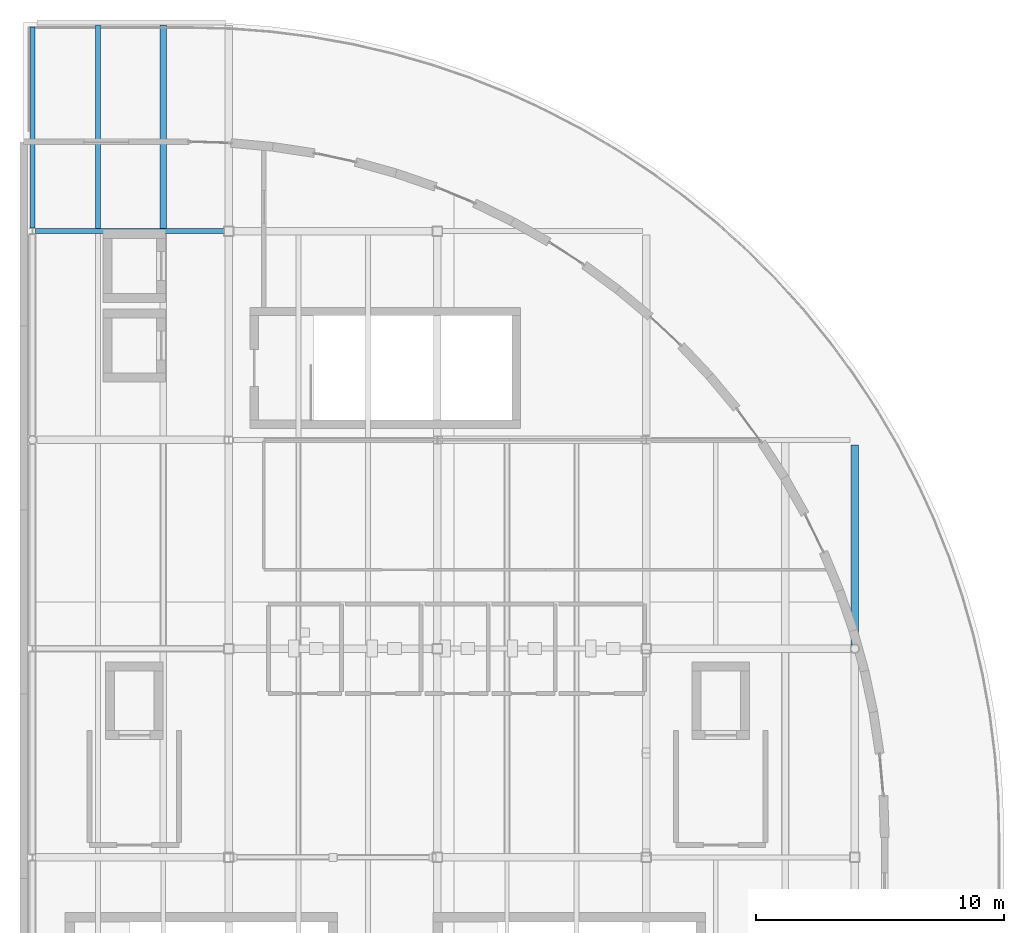
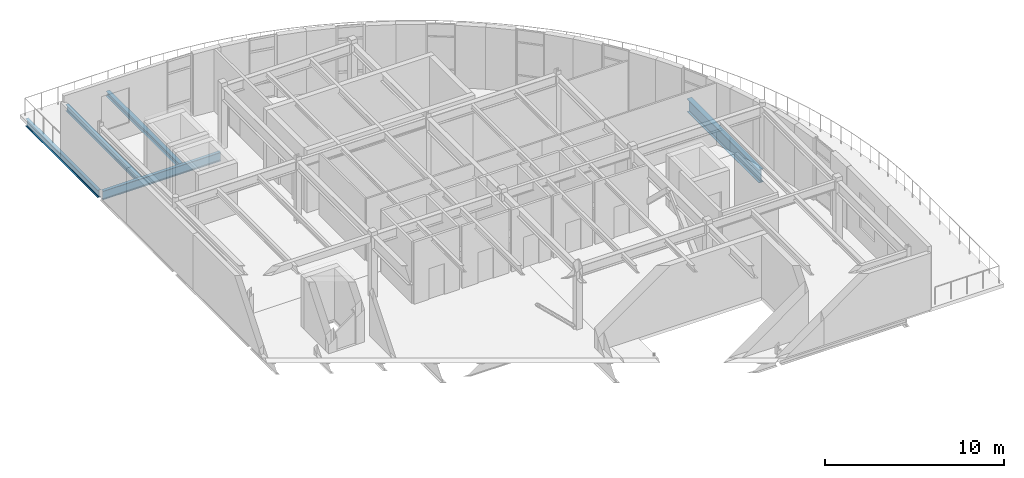
# One storey, part 13 of 26: 5 beams.
"""IFC4 building model written with IfcOpenShell, lengths in metres."""

from ifc_helpers import new_model, si_unit, direction, frame, origin, origin_2d, place, context, subcontext, project, spatial, i_section, extrude, material, material_profile, profile_set, type_object, element, save


model = new_model("IFC4")

# Units and contexts
model_context = context("Model", 3, precision=1e-05, world=origin(), true_north=direction((0.0, 1.0)))
body_context = subcontext(model_context, "Body", "Model", "MODEL_VIEW")
ifc_project = project(units=[si_unit("LENGTHUNIT", "METRE"), si_unit("AREAUNIT", "SQUARE_METRE"), si_unit("VOLUMEUNIT", "CUBIC_METRE"), si_unit("PLANEANGLEUNIT", "RADIAN"), si_unit("MASSUNIT", "GRAM", prefix="KILO"), si_unit("THERMODYNAMICTEMPERATUREUNIT", "KELVIN")], contexts=[model_context])

# Site, building, storey
site_placement = place(None, origin())
site = spatial("IfcSite", under=ifc_project, at=site_placement, CompositionType="ELEMENT")
building_placement = place(site_placement, origin())
building = spatial("IfcBuilding", under=site, at=building_placement, Name="Lustrewick Department Store", CompositionType="ELEMENT")
storey_placement = place(building_placement, frame((0.0, 0.0, 36.300048828125)))
storey = spatial("IfcBuildingStorey", under=building, at=storey_placement, Name="L08", CompositionType="ELEMENT", Elevation=36.300048828125)

# Beams
ifc_material_1 = material(Name="Structural steel Q355B", Category="steel")
ifc_material_profile_1 = material_profile(ifc_material_1, i_section(OverallWidth=0.198974609375, OverallDepth=0.446044921875, WebThickness=0.008056640625, FlangeThickness=0.011962890625, FilletRadius=0.01611328125, at=origin_2d()), Name="HN 446x199x8x12")
ifc_profile_set_1 = profile_set([ifc_material_profile_1], Name="Structural steel Q355B")
beam_type_1 = type_object("IfcBeamType", Name="B04", PredefinedType="JOIST", material=ifc_profile_set_1)
beam_1_placement = place(storey_placement, frame((112.333251953125, 84.099609375, -0.47802734375), z_axis=(0.0, 1.0, 0.0), x_axis=(-1.0, 0.0, 0.0)))
element("IfcBeam", 1, at=beam_1_placement, inside=storey, type_object=beam_type_1, Name="L08 V4 Secondary Joist B04", PredefinedType="JOIST", context=body_context, shape_type="SweptSolid", body=[
    extrude(i_section(OverallWidth=0.198974609375, OverallDepth=0.446044921875, WebThickness=0.008056640625, FlangeThickness=0.011962890625, FilletRadius=0.01611328125, at=origin_2d()), origin(), (0.0, 0.0, 1.0), 8.199951171875),
])
ifc_material_profile_2 = material_profile(ifc_material_1, i_section(OverallWidth=0.25, OverallDepth=0.340087890625, WebThickness=0.009033203125, FlangeThickness=0.013916015625, FilletRadius=0.01611328125, at=origin_2d()), Name="HM 340x250x9x14")
ifc_profile_set_2 = profile_set([ifc_material_profile_2], Name="Structural steel Q355B")
beam_type_2 = type_object("IfcBeamType", Name="B08", PredefinedType="JOIST", material=ifc_profile_set_2)
beam_2_placement = place(storey_placement, frame((114.966796875, 84.099609375, -0.425048828125), z_axis=(0.0, 1.0, 0.0), x_axis=(-1.0, 0.0, 0.0)))
element("IfcBeam", 2, at=beam_2_placement, inside=storey, type_object=beam_type_2, Name="L08 V4 Secondary Joist B08", PredefinedType="JOIST", context=body_context, shape_type="SweptSolid", body=[
    extrude(i_section(OverallWidth=0.25, OverallDepth=0.340087890625, WebThickness=0.009033203125, FlangeThickness=0.013916015625, FilletRadius=0.01611328125, at=origin_2d()), origin(), (0.0, 0.0, 1.0), 8.199951171875),
])
ifc_material_2 = material(Name="Structural steel Q355C", Category="steel")
ifc_material_profile_3 = material_profile(ifc_material_2, i_section(OverallWidth=0.300048828125, OverallDepth=0.89990234375, WebThickness=0.01611328125, FlangeThickness=0.028076171875, FilletRadius=0.02392578125, at=origin_2d()), Name="HN 900x300x16x28")
ifc_profile_set_3 = profile_set([ifc_material_profile_3], Name="Structural steel Q355C")
beam_type_3 = type_object("IfcBeamType", Name="G02", PredefinedType="BEAM", material=ifc_profile_set_3)
beam_3_placement = place(storey_placement, frame((142.800048828125, 67.346923828125, -0.705078125), z_axis=(0.0, 1.0, 0.0), x_axis=(-1.0, 0.0, 0.0)))
element("IfcBeam", 3, at=beam_3_placement, inside=storey, type_object=beam_type_3, Name="L08 V4 Girder G02", PredefinedType="BEAM", context=body_context, shape_type="SweptSolid", body=[
    extrude(i_section(OverallWidth=0.300048828125, OverallDepth=0.89990234375, WebThickness=0.01611328125, FlangeThickness=0.028076171875, FilletRadius=0.02392578125, at=origin_2d()), origin(), (0.0, 0.0, 1.0), 8.052978515625),
])
ifc_material_profile_4 = material_profile(ifc_material_1, i_section(OverallWidth=0.198974609375, OverallDepth=0.595947265625, WebThickness=0.010009765625, FlangeThickness=0.014892578125, FilletRadius=0.01806640625, at=origin_2d()), Name="HN 596x199x10x15")
ifc_profile_set_4 = profile_set([ifc_material_profile_4], Name="Structural steel Q355B")
beam_type_4 = type_object("IfcBeamType", Name="G15", PredefinedType="BEAM", material=ifc_profile_set_4)
beam_4_placement = place(storey_placement, frame((109.824951171875, 84.0, -0.552978515625), z_axis=(1.0, 0.0, 0.0), x_axis=(0.0, 1.0, 0.0)))
element("IfcBeam", 4, at=beam_4_placement, inside=storey, type_object=beam_type_4, Name="L08 V4 Girder G15", PredefinedType="BEAM", context=body_context, shape_type="SweptSolid", body=[
    extrude(i_section(OverallWidth=0.198974609375, OverallDepth=0.595947265625, WebThickness=0.010009765625, FlangeThickness=0.014892578125, FilletRadius=0.01806640625, at=origin_2d()), origin(), (0.0, 0.0, 1.0), 7.6240234375),
])
ifc_material_profile_5 = material_profile(ifc_material_1, i_section(OverallWidth=0.200927734375, OverallDepth=0.506103515625, WebThickness=0.010986328125, FlangeThickness=0.01904296875, FilletRadius=0.01611328125, at=origin_2d()), Name="HN 506x201x11x19")
ifc_profile_set_5 = profile_set([ifc_material_profile_5], Name="Structural steel Q355B")
beam_type_5 = type_object("IfcBeamType", Name="SP01", PredefinedType="SPANDREL", material=ifc_profile_set_5)
beam_5_placement = place(storey_placement, frame((109.699951171875, 84.125, -0.508056640625), z_axis=(0.0, 1.0, 0.0), x_axis=(-1.0, 0.0, 0.0)))
element("IfcBeam", 5, at=beam_5_placement, inside=storey, type_object=beam_type_5, Name="L08 V4 Girder SP01", PredefinedType="SPANDREL", context=body_context, shape_type="SweptSolid", body=[
    extrude(i_section(OverallWidth=0.200927734375, OverallDepth=0.506103515625, WebThickness=0.010986328125, FlangeThickness=0.01904296875, FilletRadius=0.01611328125, at=origin_2d()), origin(), (0.0, 0.0, 1.0), 8.096923828125),
])

save(model, "model.ifc")
